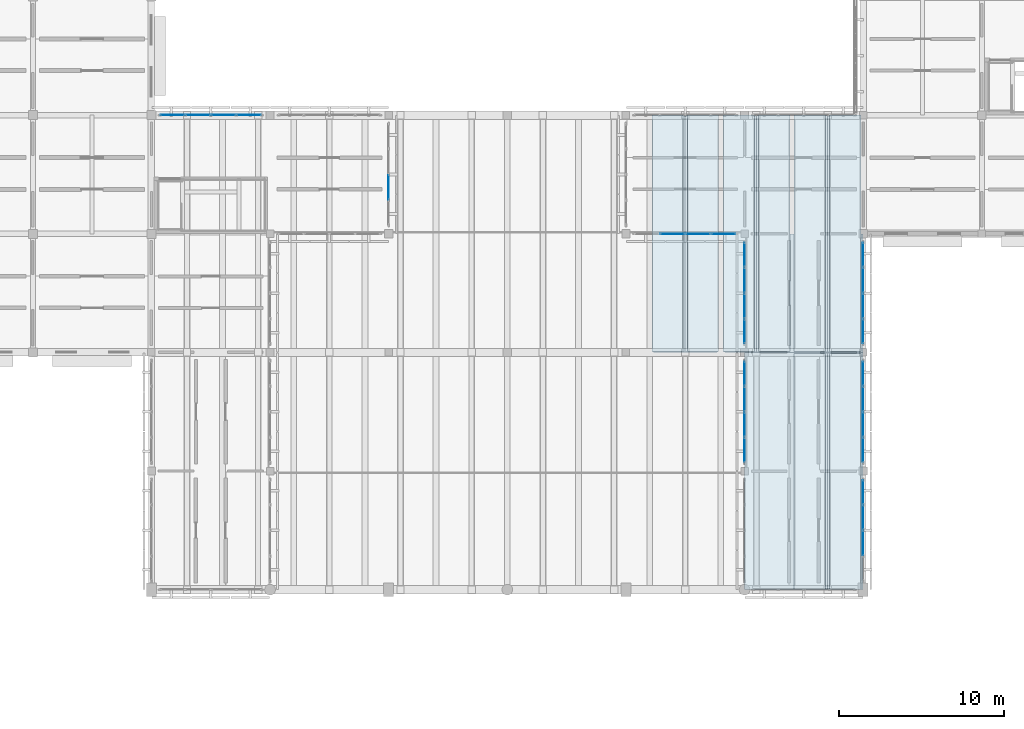
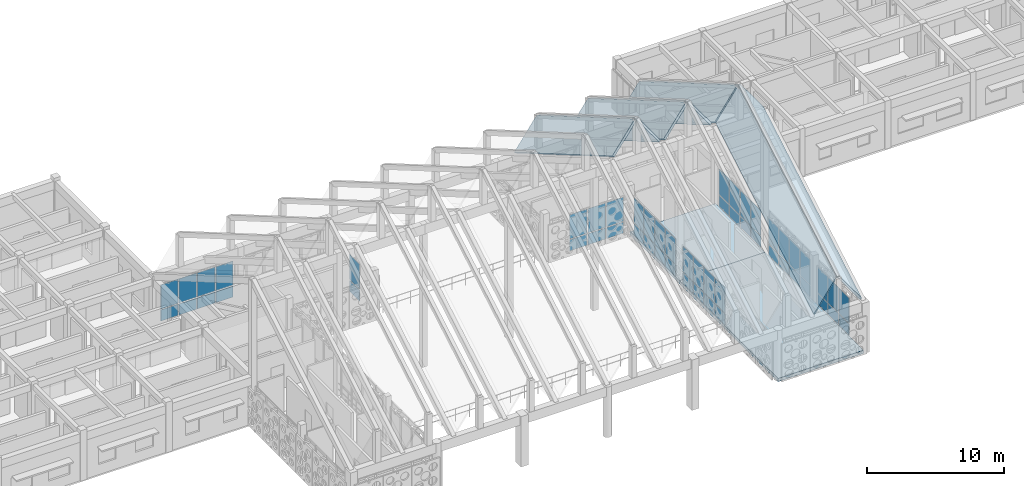
# One storey, part 104 of 171: 54 plates, 10 slabs, 8 elements without a shape of their own.
"""IFC4 building model written with IfcOpenShell, lengths in metres."""

from ifc_helpers import new_model, si_unit, direction, frame, origin, origin_2d, place, context, subcontext, project, spatial, polyline, rectangle, outline, extrude, material, layer, layer_set, type_object, element, aggregate, save


model = new_model("IFC4")

# Units and contexts
model_context = context("Model", 3, precision=1e-05, world=origin(), true_north=direction((0.0, 1.0)))
body_context = subcontext(model_context, "Body", "Model", "MODEL_VIEW")
ifc_project = project(units=[si_unit("LENGTHUNIT", "METRE"), si_unit("AREAUNIT", "SQUARE_METRE"), si_unit("VOLUMEUNIT", "CUBIC_METRE"), si_unit("PLANEANGLEUNIT", "RADIAN"), si_unit("MASSUNIT", "GRAM", prefix="KILO")], contexts=[model_context])

# Site, building, storey
site_placement = place(None, origin())
site = spatial("IfcSite", under=ifc_project, at=site_placement, CompositionType="ELEMENT")
building_placement = place(site_placement, origin())
building = spatial("IfcBuilding", under=site, at=building_placement, Name="Aldebral Square Health Centre", CompositionType="ELEMENT")
storey_placement = place(building_placement, frame((0.0, 0.0, 4.5)))
storey = spatial("IfcBuildingStorey", under=building, at=storey_placement, Name="L01", CompositionType="ELEMENT", Elevation=4.5)

# Curtain wall, plates
ifc_material_1 = material(Name="Aluminium and low-E solar glass", Category="aluminium")
curtain_wall_type = type_object("IfcCurtainWallType", Name="CW-HALL-SYS", PredefinedType="USERDEFINED", material=ifc_material_1)
curtain_wall_1_placement = place(storey_placement, origin())
curtain_wall_1 = element("IfcCurtainWall", 1, at=curtain_wall_1_placement, inside=storey, type_object=curtain_wall_type, Name="L01 V1 hall curtain wall L01-V1-09-13-N", ObjectType="HALL_CURTAIN_WALL", PredefinedType="USERDEFINED")
ifc_material_2 = material(Name="Solar-control low-E double glass", Category="glass")
ifc_layer_1 = layer(ifc_material_2, 0.030029296875, Name="Solar-control low-E double glass", Category="glass")
ifc_layer_set_1 = layer_set([ifc_layer_1], Name="Solar-control low-E double glass")
plate_type = type_object("IfcPlateType", Name="CWP-GLZ-2", PredefinedType="CURTAIN_PANEL", material=ifc_layer_set_1)
plate_1_placement = place(storey_placement, frame((70.72119140625, 100.800048828125, 0.0751953125), z_axis=(0.0, 0.0, 1.0), x_axis=(-1.0, 0.0, 0.0)))
plate_1 = element("IfcPlate", 2, at=plate_1_placement, type_object=plate_type, Name="CW2 panel 1.1", PredefinedType="CURTAIN_PANEL", context=body_context, shape_type="SweptSolid", body=[
    extrude(rectangle(XDim=1.447509765625, YDim=0.030029296875, at=origin_2d()), origin(), (0.0, 0.0, 1.0), 0.987548828125),
])
plate_2_placement = place(storey_placement, frame((70.72119140625, 100.800048828125, 1.1376953125), z_axis=(0.0, 0.0, 1.0), x_axis=(-1.0, 0.0, 0.0)))
plate_2 = element("IfcPlate", 3, at=plate_2_placement, type_object=plate_type, Name="CW2 panel 1.2", PredefinedType="CURTAIN_PANEL", context=body_context, shape_type="SweptSolid", body=[
    extrude(rectangle(XDim=1.447509765625, YDim=0.030029296875, at=origin_2d()), origin(), (0.0, 0.0, 1.0), 2.157470703125),
])
plate_3_placement = place(storey_placement, frame((69.179931640625, 100.800048828125, 0.0751953125), z_axis=(0.0, 0.0, 1.0), x_axis=(-1.0, 0.0, 0.0)))
plate_3 = element("IfcPlate", 4, at=plate_3_placement, type_object=plate_type, Name="CW2 panel 2.1", PredefinedType="CURTAIN_PANEL", context=body_context, shape_type="SweptSolid", body=[
    extrude(rectangle(XDim=1.485107421875, YDim=0.030029296875, at=origin_2d()), origin(), (0.0, 0.0, 1.0), 0.987548828125),
])
plate_4_placement = place(storey_placement, frame((69.179931640625, 100.800048828125, 1.1376953125), z_axis=(0.0, 0.0, 1.0), x_axis=(-1.0, 0.0, 0.0)))
plate_4 = element("IfcPlate", 5, at=plate_4_placement, type_object=plate_type, Name="CW2 panel 2.2", PredefinedType="CURTAIN_PANEL", context=body_context, shape_type="SweptSolid", body=[
    extrude(rectangle(XDim=1.485107421875, YDim=0.030029296875, at=origin_2d()), origin(), (0.0, 0.0, 1.0), 2.157470703125),
])
plate_5_placement = place(storey_placement, frame((67.6201171875, 100.800048828125, 0.0751953125), z_axis=(0.0, 0.0, 1.0), x_axis=(-1.0, 0.0, 0.0)))
plate_5 = element("IfcPlate", 6, at=plate_5_placement, type_object=plate_type, Name="CW2 panel 3.1", PredefinedType="CURTAIN_PANEL", context=body_context, shape_type="SweptSolid", body=[
    extrude(rectangle(XDim=1.485107421875, YDim=0.030029296875, at=origin_2d()), origin(), (0.0, 0.0, 1.0), 0.987548828125),
])
plate_6_placement = place(storey_placement, frame((67.6201171875, 100.800048828125, 1.1376953125), z_axis=(0.0, 0.0, 1.0), x_axis=(-1.0, 0.0, 0.0)))
plate_6 = element("IfcPlate", 7, at=plate_6_placement, type_object=plate_type, Name="CW2 panel 3.2", PredefinedType="CURTAIN_PANEL", context=body_context, shape_type="SweptSolid", body=[
    extrude(rectangle(XDim=1.485107421875, YDim=0.030029296875, at=origin_2d()), origin(), (0.0, 0.0, 1.0), 2.157470703125),
])
plate_7_placement = place(storey_placement, frame((66.078857421875, 100.800048828125, 0.0751953125), z_axis=(0.0, 0.0, 1.0), x_axis=(-1.0, 0.0, 0.0)))
plate_7 = element("IfcPlate", 8, at=plate_7_placement, type_object=plate_type, Name="CW2 panel 4.1", PredefinedType="CURTAIN_PANEL", context=body_context, shape_type="SweptSolid", body=[
    extrude(rectangle(XDim=1.447509765625, YDim=0.030029296875, at=origin_2d()), origin(), (0.0, 0.0, 1.0), 0.987548828125),
])
plate_8_placement = place(storey_placement, frame((66.078857421875, 100.800048828125, 1.1376953125), z_axis=(0.0, 0.0, 1.0), x_axis=(-1.0, 0.0, 0.0)))
plate_8 = element("IfcPlate", 9, at=plate_8_placement, type_object=plate_type, Name="CW2 panel 4.2", PredefinedType="CURTAIN_PANEL", context=body_context, shape_type="SweptSolid", body=[
    extrude(rectangle(XDim=1.447509765625, YDim=0.030029296875, at=origin_2d()), origin(), (0.0, 0.0, 1.0), 2.157470703125),
])
aggregate(curtain_wall_1, [plate_1, plate_2, plate_3, plate_4, plate_5, plate_6, plate_7, plate_8])

curtain_wall_2_placement = place(storey_placement, origin())
curtain_wall_2 = element("IfcCurtainWall", 10, at=curtain_wall_2_placement, inside=storey, type_object=curtain_wall_type, Name="L01 V1 hall curtain wall L01-V1-10-13-E", ObjectType="HALL_CURTAIN_WALL", PredefinedType="USERDEFINED")
plate_9_placement = place(storey_placement, frame((79.199951171875, 96.419921875, 0.0751953125), z_axis=(0.0, 0.0, 1.0), x_axis=(0.0, 1.0, 0.0)))
plate_9 = element("IfcPlate", 11, at=plate_9_placement, type_object=plate_type, Name="CW2 panel 2.1", PredefinedType="CURTAIN_PANEL", context=body_context, shape_type="SweptSolid", body=[
    extrude(rectangle(XDim=1.485107421875, YDim=0.030029296875, at=origin_2d()), origin(), (0.0, 0.0, 1.0), 0.987548828125),
])
plate_10_placement = place(storey_placement, frame((79.199951171875, 96.419921875, 1.1376953125), z_axis=(0.0, 0.0, 1.0), x_axis=(0.0, 1.0, 0.0)))
plate_10 = element("IfcPlate", 12, at=plate_10_placement, type_object=plate_type, Name="CW2 panel 2.2", PredefinedType="CURTAIN_PANEL", context=body_context, shape_type="SweptSolid", body=[
    extrude(rectangle(XDim=1.485107421875, YDim=0.030029296875, at=origin_2d()), origin(), (0.0, 0.0, 1.0), 2.257568359375),
])
aggregate(curtain_wall_2, [plate_9, plate_10])

curtain_wall_3_placement = place(storey_placement, origin())
curtain_wall_3 = element("IfcCurtainWall", 13, at=curtain_wall_3_placement, inside=storey, type_object=curtain_wall_type, Name="L01 V1 hall curtain wall L01-V1-13-13-S", ObjectType="HALL_CURTAIN_WALL", PredefinedType="USERDEFINED")
plate_11_placement = place(storey_placement, frame((96.419921875, 93.60009765625, 0.0751953125), z_axis=(0.0, 0.0, 1.0), x_axis=(1.0, 0.0, 0.0)))
plate_11 = element("IfcPlate", 14, at=plate_11_placement, type_object=plate_type, Name="CW2 panel 2.1", PredefinedType="CURTAIN_PANEL", context=body_context, shape_type="SweptSolid", body=[
    extrude(rectangle(XDim=1.485107421875, YDim=0.030029296875, at=origin_2d()), origin(), (0.0, 0.0, 1.0), 0.987548828125),
])
plate_12_placement = place(storey_placement, frame((96.419921875, 93.60009765625, 1.1376953125), z_axis=(0.0, 0.0, 1.0), x_axis=(1.0, 0.0, 0.0)))
plate_12 = element("IfcPlate", 15, at=plate_12_placement, type_object=plate_type, Name="CW2 panel 2.2", PredefinedType="CURTAIN_PANEL", context=body_context, shape_type="SweptSolid", body=[
    extrude(rectangle(XDim=1.485107421875, YDim=0.030029296875, at=origin_2d()), origin(), (0.0, 0.0, 1.0), 2.157470703125),
])
plate_13_placement = place(storey_placement, frame((97.97998046875, 93.60009765625, 0.0751953125), z_axis=(0.0, 0.0, 1.0), x_axis=(1.0, 0.0, 0.0)))
plate_13 = element("IfcPlate", 16, at=plate_13_placement, type_object=plate_type, Name="CW2 panel 3.1", PredefinedType="CURTAIN_PANEL", context=body_context, shape_type="SweptSolid", body=[
    extrude(rectangle(XDim=1.485107421875, YDim=0.030029296875, at=origin_2d()), origin(), (0.0, 0.0, 1.0), 0.987548828125),
])
plate_14_placement = place(storey_placement, frame((97.97998046875, 93.60009765625, 1.1376953125), z_axis=(0.0, 0.0, 1.0), x_axis=(1.0, 0.0, 0.0)))
plate_14 = element("IfcPlate", 17, at=plate_14_placement, type_object=plate_type, Name="CW2 panel 3.2", PredefinedType="CURTAIN_PANEL", context=body_context, shape_type="SweptSolid", body=[
    extrude(rectangle(XDim=1.485107421875, YDim=0.030029296875, at=origin_2d()), origin(), (0.0, 0.0, 1.0), 2.157470703125),
])
plate_15_placement = place(storey_placement, frame((99.521240234375, 93.60009765625, 0.0751953125), z_axis=(0.0, 0.0, 1.0), x_axis=(1.0, 0.0, 0.0)))
plate_15 = element("IfcPlate", 18, at=plate_15_placement, type_object=plate_type, Name="CW2 panel 4.1", PredefinedType="CURTAIN_PANEL", context=body_context, shape_type="SweptSolid", body=[
    extrude(rectangle(XDim=1.447509765625, YDim=0.030029296875, at=origin_2d()), origin(), (0.0, 0.0, 1.0), 0.987548828125),
])
plate_16_placement = place(storey_placement, frame((99.521240234375, 93.60009765625, 1.1376953125), z_axis=(0.0, 0.0, 1.0), x_axis=(1.0, 0.0, 0.0)))
plate_16 = element("IfcPlate", 19, at=plate_16_placement, type_object=plate_type, Name="CW2 panel 4.2", PredefinedType="CURTAIN_PANEL", context=body_context, shape_type="SweptSolid", body=[
    extrude(rectangle(XDim=1.447509765625, YDim=0.030029296875, at=origin_2d()), origin(), (0.0, 0.0, 1.0), 2.157470703125),
])
aggregate(curtain_wall_3, [plate_11, plate_12, plate_13, plate_14, plate_15, plate_16])

curtain_wall_4_placement = place(storey_placement, origin())
curtain_wall_4 = element("IfcCurtainWall", 20, at=curtain_wall_4_placement, inside=storey, type_object=curtain_wall_type, Name="L01 V1 hall curtain wall L01-V1-14-10-E", ObjectType="HALL_CURTAIN_WALL", PredefinedType="USERDEFINED")
plate_17_placement = place(storey_placement, frame((108.0, 74.820068359375, 0.0751953125), z_axis=(0.0, 0.0, 1.0), x_axis=(0.0, 1.0, 0.0)))
plate_17 = element("IfcPlate", 21, at=plate_17_placement, type_object=plate_type, Name="CW2 panel 2.1", PredefinedType="CURTAIN_PANEL", context=body_context, shape_type="SweptSolid", body=[
    extrude(rectangle(XDim=1.485107421875, YDim=0.030029296875, at=origin_2d()), origin(), (0.0, 0.0, 1.0), 0.987548828125),
])
plate_18_placement = place(storey_placement, frame((108.0, 74.820068359375, 1.1376953125), z_axis=(0.0, 0.0, 1.0), x_axis=(0.0, 1.0, 0.0)))
plate_18 = element("IfcPlate", 22, at=plate_18_placement, type_object=plate_type, Name="CW2 panel 2.2", PredefinedType="CURTAIN_PANEL", context=body_context, shape_type="SweptSolid", body=[
    extrude(rectangle(XDim=1.485107421875, YDim=0.030029296875, at=origin_2d()), origin(), (0.0, 0.0, 1.0), 2.257568359375),
])
plate_19_placement = place(storey_placement, frame((108.0, 76.3798828125, 0.0751953125), z_axis=(0.0, 0.0, 1.0), x_axis=(0.0, 1.0, 0.0)))
plate_19 = element("IfcPlate", 23, at=plate_19_placement, type_object=plate_type, Name="CW2 panel 3.1", PredefinedType="CURTAIN_PANEL", context=body_context, shape_type="SweptSolid", body=[
    extrude(rectangle(XDim=1.485107421875, YDim=0.030029296875, at=origin_2d()), origin(), (0.0, 0.0, 1.0), 0.987548828125),
])
plate_20_placement = place(storey_placement, frame((108.0, 76.3798828125, 1.1376953125), z_axis=(0.0, 0.0, 1.0), x_axis=(0.0, 1.0, 0.0)))
plate_20 = element("IfcPlate", 24, at=plate_20_placement, type_object=plate_type, Name="CW2 panel 3.2", PredefinedType="CURTAIN_PANEL", context=body_context, shape_type="SweptSolid", body=[
    extrude(rectangle(XDim=1.485107421875, YDim=0.030029296875, at=origin_2d()), origin(), (0.0, 0.0, 1.0), 2.257568359375),
])
plate_21_placement = place(storey_placement, frame((108.0, 77.921142578125, 0.0751953125), z_axis=(0.0, 0.0, 1.0), x_axis=(0.0, 1.0, 0.0)))
plate_21 = element("IfcPlate", 25, at=plate_21_placement, type_object=plate_type, Name="CW2 panel 4.1", PredefinedType="CURTAIN_PANEL", context=body_context, shape_type="SweptSolid", body=[
    extrude(rectangle(XDim=1.447509765625, YDim=0.030029296875, at=origin_2d()), origin(), (0.0, 0.0, 1.0), 0.987548828125),
])
plate_22_placement = place(storey_placement, frame((108.0, 77.921142578125, 1.1376953125), z_axis=(0.0, 0.0, 1.0), x_axis=(0.0, 1.0, 0.0)))
plate_22 = element("IfcPlate", 26, at=plate_22_placement, type_object=plate_type, Name="CW2 panel 4.2", PredefinedType="CURTAIN_PANEL", context=body_context, shape_type="SweptSolid", body=[
    extrude(rectangle(XDim=1.447509765625, YDim=0.030029296875, at=origin_2d()), origin(), (0.0, 0.0, 1.0), 2.257568359375),
])
aggregate(curtain_wall_4, [plate_17, plate_18, plate_19, plate_20, plate_21, plate_22])

curtain_wall_5_placement = place(storey_placement, origin())
curtain_wall_5 = element("IfcCurtainWall", 27, at=curtain_wall_5_placement, inside=storey, type_object=curtain_wall_type, Name="L01 V1 hall curtain wall L01-V1-14-11-W", ObjectType="HALL_CURTAIN_WALL", PredefinedType="USERDEFINED")
plate_23_placement = place(storey_placement, frame((100.800048828125, 85.121337890625, 0.0751953125), z_axis=(0.0, 0.0, 1.0), x_axis=(0.0, -1.0, 0.0)))
plate_23 = element("IfcPlate", 28, at=plate_23_placement, type_object=plate_type, Name="CW2 panel 1.1", PredefinedType="CURTAIN_PANEL", context=body_context, shape_type="SweptSolid", body=[
    extrude(rectangle(XDim=1.447509765625, YDim=0.030029296875, at=origin_2d()), origin(), (0.0, 0.0, 1.0), 0.987548828125),
])
plate_24_placement = place(storey_placement, frame((100.800048828125, 85.121337890625, 1.1376953125), z_axis=(0.0, 0.0, 1.0), x_axis=(0.0, -1.0, 0.0)))
plate_24 = element("IfcPlate", 29, at=plate_24_placement, type_object=plate_type, Name="CW2 panel 1.2", PredefinedType="CURTAIN_PANEL", context=body_context, shape_type="SweptSolid", body=[
    extrude(rectangle(XDim=1.447509765625, YDim=0.030029296875, at=origin_2d()), origin(), (0.0, 0.0, 1.0), 2.257568359375),
])
plate_25_placement = place(storey_placement, frame((100.800048828125, 83.580078125, 0.0751953125), z_axis=(0.0, 0.0, 1.0), x_axis=(0.0, -1.0, 0.0)))
plate_25 = element("IfcPlate", 30, at=plate_25_placement, type_object=plate_type, Name="CW2 panel 2.1", PredefinedType="CURTAIN_PANEL", context=body_context, shape_type="SweptSolid", body=[
    extrude(rectangle(XDim=1.485107421875, YDim=0.030029296875, at=origin_2d()), origin(), (0.0, 0.0, 1.0), 0.987548828125),
])
plate_26_placement = place(storey_placement, frame((100.800048828125, 83.580078125, 1.1376953125), z_axis=(0.0, 0.0, 1.0), x_axis=(0.0, -1.0, 0.0)))
plate_26 = element("IfcPlate", 31, at=plate_26_placement, type_object=plate_type, Name="CW2 panel 2.2", PredefinedType="CURTAIN_PANEL", context=body_context, shape_type="SweptSolid", body=[
    extrude(rectangle(XDim=1.485107421875, YDim=0.030029296875, at=origin_2d()), origin(), (0.0, 0.0, 1.0), 2.257568359375),
])
plate_27_placement = place(storey_placement, frame((100.800048828125, 82.02001953125, 0.0751953125), z_axis=(0.0, 0.0, 1.0), x_axis=(0.0, -1.0, 0.0)))
plate_27 = element("IfcPlate", 32, at=plate_27_placement, type_object=plate_type, Name="CW2 panel 3.1", PredefinedType="CURTAIN_PANEL", context=body_context, shape_type="SweptSolid", body=[
    extrude(rectangle(XDim=1.485107421875, YDim=0.030029296875, at=origin_2d()), origin(), (0.0, 0.0, 1.0), 0.987548828125),
])
plate_28_placement = place(storey_placement, frame((100.800048828125, 82.02001953125, 1.1376953125), z_axis=(0.0, 0.0, 1.0), x_axis=(0.0, -1.0, 0.0)))
plate_28 = element("IfcPlate", 33, at=plate_28_placement, type_object=plate_type, Name="CW2 panel 3.2", PredefinedType="CURTAIN_PANEL", context=body_context, shape_type="SweptSolid", body=[
    extrude(rectangle(XDim=1.485107421875, YDim=0.030029296875, at=origin_2d()), origin(), (0.0, 0.0, 1.0), 2.257568359375),
])
plate_29_placement = place(storey_placement, frame((100.800048828125, 80.478759765625, 0.0751953125), z_axis=(0.0, 0.0, 1.0), x_axis=(0.0, -1.0, 0.0)))
plate_29 = element("IfcPlate", 34, at=plate_29_placement, type_object=plate_type, Name="CW2 panel 4.1", PredefinedType="CURTAIN_PANEL", context=body_context, shape_type="SweptSolid", body=[
    extrude(rectangle(XDim=1.447509765625, YDim=0.030029296875, at=origin_2d()), origin(), (0.0, 0.0, 1.0), 0.987548828125),
])
plate_30_placement = place(storey_placement, frame((100.800048828125, 80.478759765625, 1.1376953125), z_axis=(0.0, 0.0, 1.0), x_axis=(0.0, -1.0, 0.0)))
plate_30 = element("IfcPlate", 35, at=plate_30_placement, type_object=plate_type, Name="CW2 panel 4.2", PredefinedType="CURTAIN_PANEL", context=body_context, shape_type="SweptSolid", body=[
    extrude(rectangle(XDim=1.447509765625, YDim=0.030029296875, at=origin_2d()), origin(), (0.0, 0.0, 1.0), 2.257568359375),
])
aggregate(curtain_wall_5, [plate_23, plate_24, plate_25, plate_26, plate_27, plate_28, plate_29, plate_30])

curtain_wall_6_placement = place(storey_placement, origin())
curtain_wall_6 = element("IfcCurtainWall", 36, at=curtain_wall_6_placement, inside=storey, type_object=curtain_wall_type, Name="L01 V1 hall curtain wall L01-V1-14-11-E", ObjectType="HALL_CURTAIN_WALL", PredefinedType="USERDEFINED")
plate_31_placement = place(storey_placement, frame((108.0, 80.478759765625, 0.0751953125), z_axis=(0.0, 0.0, 1.0), x_axis=(0.0, 1.0, 0.0)))
plate_31 = element("IfcPlate", 37, at=plate_31_placement, type_object=plate_type, Name="CW2 panel 1.1", PredefinedType="CURTAIN_PANEL", context=body_context, shape_type="SweptSolid", body=[
    extrude(rectangle(XDim=1.447509765625, YDim=0.030029296875, at=origin_2d()), origin(), (0.0, 0.0, 1.0), 0.987548828125),
])
plate_32_placement = place(storey_placement, frame((108.0, 80.478759765625, 1.1376953125), z_axis=(0.0, 0.0, 1.0), x_axis=(0.0, 1.0, 0.0)))
plate_32 = element("IfcPlate", 38, at=plate_32_placement, type_object=plate_type, Name="CW2 panel 1.2", PredefinedType="CURTAIN_PANEL", context=body_context, shape_type="SweptSolid", body=[
    extrude(rectangle(XDim=1.447509765625, YDim=0.030029296875, at=origin_2d()), origin(), (0.0, 0.0, 1.0), 2.257568359375),
])
plate_33_placement = place(storey_placement, frame((108.0, 82.02001953125, 0.0751953125), z_axis=(0.0, 0.0, 1.0), x_axis=(0.0, 1.0, 0.0)))
plate_33 = element("IfcPlate", 39, at=plate_33_placement, type_object=plate_type, Name="CW2 panel 2.1", PredefinedType="CURTAIN_PANEL", context=body_context, shape_type="SweptSolid", body=[
    extrude(rectangle(XDim=1.485107421875, YDim=0.030029296875, at=origin_2d()), origin(), (0.0, 0.0, 1.0), 0.987548828125),
])
plate_34_placement = place(storey_placement, frame((108.0, 82.02001953125, 1.1376953125), z_axis=(0.0, 0.0, 1.0), x_axis=(0.0, 1.0, 0.0)))
plate_34 = element("IfcPlate", 40, at=plate_34_placement, type_object=plate_type, Name="CW2 panel 2.2", PredefinedType="CURTAIN_PANEL", context=body_context, shape_type="SweptSolid", body=[
    extrude(rectangle(XDim=1.485107421875, YDim=0.030029296875, at=origin_2d()), origin(), (0.0, 0.0, 1.0), 2.257568359375),
])
plate_35_placement = place(storey_placement, frame((108.0, 83.580078125, 0.0751953125), z_axis=(0.0, 0.0, 1.0), x_axis=(0.0, 1.0, 0.0)))
plate_35 = element("IfcPlate", 41, at=plate_35_placement, type_object=plate_type, Name="CW2 panel 3.1", PredefinedType="CURTAIN_PANEL", context=body_context, shape_type="SweptSolid", body=[
    extrude(rectangle(XDim=1.485107421875, YDim=0.030029296875, at=origin_2d()), origin(), (0.0, 0.0, 1.0), 0.987548828125),
])
plate_36_placement = place(storey_placement, frame((108.0, 83.580078125, 1.1376953125), z_axis=(0.0, 0.0, 1.0), x_axis=(0.0, 1.0, 0.0)))
plate_36 = element("IfcPlate", 42, at=plate_36_placement, type_object=plate_type, Name="CW2 panel 3.2", PredefinedType="CURTAIN_PANEL", context=body_context, shape_type="SweptSolid", body=[
    extrude(rectangle(XDim=1.485107421875, YDim=0.030029296875, at=origin_2d()), origin(), (0.0, 0.0, 1.0), 2.257568359375),
])
plate_37_placement = place(storey_placement, frame((108.0, 85.121337890625, 0.0751953125), z_axis=(0.0, 0.0, 1.0), x_axis=(0.0, 1.0, 0.0)))
plate_37 = element("IfcPlate", 43, at=plate_37_placement, type_object=plate_type, Name="CW2 panel 4.1", PredefinedType="CURTAIN_PANEL", context=body_context, shape_type="SweptSolid", body=[
    extrude(rectangle(XDim=1.447509765625, YDim=0.030029296875, at=origin_2d()), origin(), (0.0, 0.0, 1.0), 0.987548828125),
])
plate_38_placement = place(storey_placement, frame((108.0, 85.121337890625, 1.1376953125), z_axis=(0.0, 0.0, 1.0), x_axis=(0.0, 1.0, 0.0)))
plate_38 = element("IfcPlate", 44, at=plate_38_placement, type_object=plate_type, Name="CW2 panel 4.2", PredefinedType="CURTAIN_PANEL", context=body_context, shape_type="SweptSolid", body=[
    extrude(rectangle(XDim=1.447509765625, YDim=0.030029296875, at=origin_2d()), origin(), (0.0, 0.0, 1.0), 2.257568359375),
])
aggregate(curtain_wall_6, [plate_31, plate_32, plate_33, plate_34, plate_35, plate_36, plate_37, plate_38])

curtain_wall_7_placement = place(storey_placement, origin())
curtain_wall_7 = element("IfcCurtainWall", 45, at=curtain_wall_7_placement, inside=storey, type_object=curtain_wall_type, Name="L01 V1 hall curtain wall L01-V1-14-12-W", ObjectType="HALL_CURTAIN_WALL", PredefinedType="USERDEFINED")
plate_39_placement = place(storey_placement, frame((100.800048828125, 92.3212890625, 0.0751953125), z_axis=(0.0, 0.0, 1.0), x_axis=(0.0, -1.0, 0.0)))
plate_39 = element("IfcPlate", 46, at=plate_39_placement, type_object=plate_type, Name="CW2 panel 1.1", PredefinedType="CURTAIN_PANEL", context=body_context, shape_type="SweptSolid", body=[
    extrude(rectangle(XDim=1.447509765625, YDim=0.030029296875, at=origin_2d()), origin(), (0.0, 0.0, 1.0), 0.987548828125),
])
plate_40_placement = place(storey_placement, frame((100.800048828125, 92.3212890625, 1.1376953125), z_axis=(0.0, 0.0, 1.0), x_axis=(0.0, -1.0, 0.0)))
plate_40 = element("IfcPlate", 47, at=plate_40_placement, type_object=plate_type, Name="CW2 panel 1.2", PredefinedType="CURTAIN_PANEL", context=body_context, shape_type="SweptSolid", body=[
    extrude(rectangle(XDim=1.447509765625, YDim=0.030029296875, at=origin_2d()), origin(), (0.0, 0.0, 1.0), 2.257568359375),
])
plate_41_placement = place(storey_placement, frame((100.800048828125, 90.780029296875, 0.0751953125), z_axis=(0.0, 0.0, 1.0), x_axis=(0.0, -1.0, 0.0)))
plate_41 = element("IfcPlate", 48, at=plate_41_placement, type_object=plate_type, Name="CW2 panel 2.1", PredefinedType="CURTAIN_PANEL", context=body_context, shape_type="SweptSolid", body=[
    extrude(rectangle(XDim=1.485107421875, YDim=0.030029296875, at=origin_2d()), origin(), (0.0, 0.0, 1.0), 0.987548828125),
])
plate_42_placement = place(storey_placement, frame((100.800048828125, 90.780029296875, 1.1376953125), z_axis=(0.0, 0.0, 1.0), x_axis=(0.0, -1.0, 0.0)))
plate_42 = element("IfcPlate", 49, at=plate_42_placement, type_object=plate_type, Name="CW2 panel 2.2", PredefinedType="CURTAIN_PANEL", context=body_context, shape_type="SweptSolid", body=[
    extrude(rectangle(XDim=1.485107421875, YDim=0.030029296875, at=origin_2d()), origin(), (0.0, 0.0, 1.0), 2.257568359375),
])
plate_43_placement = place(storey_placement, frame((100.800048828125, 89.219970703125, 0.0751953125), z_axis=(0.0, 0.0, 1.0), x_axis=(0.0, -1.0, 0.0)))
plate_43 = element("IfcPlate", 50, at=plate_43_placement, type_object=plate_type, Name="CW2 panel 3.1", PredefinedType="CURTAIN_PANEL", context=body_context, shape_type="SweptSolid", body=[
    extrude(rectangle(XDim=1.485107421875, YDim=0.030029296875, at=origin_2d()), origin(), (0.0, 0.0, 1.0), 0.987548828125),
])
plate_44_placement = place(storey_placement, frame((100.800048828125, 89.219970703125, 1.1376953125), z_axis=(0.0, 0.0, 1.0), x_axis=(0.0, -1.0, 0.0)))
plate_44 = element("IfcPlate", 51, at=plate_44_placement, type_object=plate_type, Name="CW2 panel 3.2", PredefinedType="CURTAIN_PANEL", context=body_context, shape_type="SweptSolid", body=[
    extrude(rectangle(XDim=1.485107421875, YDim=0.030029296875, at=origin_2d()), origin(), (0.0, 0.0, 1.0), 2.257568359375),
])
plate_45_placement = place(storey_placement, frame((100.800048828125, 87.6787109375, 0.0751953125), z_axis=(0.0, 0.0, 1.0), x_axis=(0.0, -1.0, 0.0)))
plate_45 = element("IfcPlate", 52, at=plate_45_placement, type_object=plate_type, Name="CW2 panel 4.1", PredefinedType="CURTAIN_PANEL", context=body_context, shape_type="SweptSolid", body=[
    extrude(rectangle(XDim=1.447509765625, YDim=0.030029296875, at=origin_2d()), origin(), (0.0, 0.0, 1.0), 0.987548828125),
])
plate_46_placement = place(storey_placement, frame((100.800048828125, 87.6787109375, 1.1376953125), z_axis=(0.0, 0.0, 1.0), x_axis=(0.0, -1.0, 0.0)))
plate_46 = element("IfcPlate", 53, at=plate_46_placement, type_object=plate_type, Name="CW2 panel 4.2", PredefinedType="CURTAIN_PANEL", context=body_context, shape_type="SweptSolid", body=[
    extrude(rectangle(XDim=1.447509765625, YDim=0.030029296875, at=origin_2d()), origin(), (0.0, 0.0, 1.0), 2.257568359375),
])
aggregate(curtain_wall_7, [plate_39, plate_40, plate_41, plate_42, plate_43, plate_44, plate_45, plate_46])

curtain_wall_8_placement = place(storey_placement, origin())
curtain_wall_8 = element("IfcCurtainWall", 54, at=curtain_wall_8_placement, inside=storey, type_object=curtain_wall_type, Name="L01 V1 hall curtain wall L01-V1-14-12-E", ObjectType="HALL_CURTAIN_WALL", PredefinedType="USERDEFINED")
plate_47_placement = place(storey_placement, frame((108.0, 87.6787109375, 0.0751953125), z_axis=(0.0, 0.0, 1.0), x_axis=(0.0, 1.0, 0.0)))
plate_47 = element("IfcPlate", 55, at=plate_47_placement, type_object=plate_type, Name="CW2 panel 1.1", PredefinedType="CURTAIN_PANEL", context=body_context, shape_type="SweptSolid", body=[
    extrude(rectangle(XDim=1.447509765625, YDim=0.030029296875, at=origin_2d()), origin(), (0.0, 0.0, 1.0), 0.987548828125),
])
plate_48_placement = place(storey_placement, frame((108.0, 87.6787109375, 1.1376953125), z_axis=(0.0, 0.0, 1.0), x_axis=(0.0, 1.0, 0.0)))
plate_48 = element("IfcPlate", 56, at=plate_48_placement, type_object=plate_type, Name="CW2 panel 1.2", PredefinedType="CURTAIN_PANEL", context=body_context, shape_type="SweptSolid", body=[
    extrude(rectangle(XDim=1.447509765625, YDim=0.030029296875, at=origin_2d()), origin(), (0.0, 0.0, 1.0), 2.257568359375),
])
plate_49_placement = place(storey_placement, frame((108.0, 89.219970703125, 0.0751953125), z_axis=(0.0, 0.0, 1.0), x_axis=(0.0, 1.0, 0.0)))
plate_49 = element("IfcPlate", 57, at=plate_49_placement, type_object=plate_type, Name="CW2 panel 2.1", PredefinedType="CURTAIN_PANEL", context=body_context, shape_type="SweptSolid", body=[
    extrude(rectangle(XDim=1.485107421875, YDim=0.030029296875, at=origin_2d()), origin(), (0.0, 0.0, 1.0), 0.987548828125),
])
plate_50_placement = place(storey_placement, frame((108.0, 89.219970703125, 1.1376953125), z_axis=(0.0, 0.0, 1.0), x_axis=(0.0, 1.0, 0.0)))
plate_50 = element("IfcPlate", 58, at=plate_50_placement, type_object=plate_type, Name="CW2 panel 2.2", PredefinedType="CURTAIN_PANEL", context=body_context, shape_type="SweptSolid", body=[
    extrude(rectangle(XDim=1.485107421875, YDim=0.030029296875, at=origin_2d()), origin(), (0.0, 0.0, 1.0), 2.257568359375),
])
plate_51_placement = place(storey_placement, frame((108.0, 90.780029296875, 0.0751953125), z_axis=(0.0, 0.0, 1.0), x_axis=(0.0, 1.0, 0.0)))
plate_51 = element("IfcPlate", 59, at=plate_51_placement, type_object=plate_type, Name="CW2 panel 3.1", PredefinedType="CURTAIN_PANEL", context=body_context, shape_type="SweptSolid", body=[
    extrude(rectangle(XDim=1.485107421875, YDim=0.030029296875, at=origin_2d()), origin(), (0.0, 0.0, 1.0), 0.987548828125),
])
plate_52_placement = place(storey_placement, frame((108.0, 90.780029296875, 1.1376953125), z_axis=(0.0, 0.0, 1.0), x_axis=(0.0, 1.0, 0.0)))
plate_52 = element("IfcPlate", 60, at=plate_52_placement, type_object=plate_type, Name="CW2 panel 3.2", PredefinedType="CURTAIN_PANEL", context=body_context, shape_type="SweptSolid", body=[
    extrude(rectangle(XDim=1.485107421875, YDim=0.030029296875, at=origin_2d()), origin(), (0.0, 0.0, 1.0), 2.257568359375),
])
plate_53_placement = place(storey_placement, frame((108.0, 92.3212890625, 0.0751953125), z_axis=(0.0, 0.0, 1.0), x_axis=(0.0, 1.0, 0.0)))
plate_53 = element("IfcPlate", 61, at=plate_53_placement, type_object=plate_type, Name="CW2 panel 4.1", PredefinedType="CURTAIN_PANEL", context=body_context, shape_type="SweptSolid", body=[
    extrude(rectangle(XDim=1.447509765625, YDim=0.030029296875, at=origin_2d()), origin(), (0.0, 0.0, 1.0), 0.987548828125),
])
plate_54_placement = place(storey_placement, frame((108.0, 92.3212890625, 1.1376953125), z_axis=(0.0, 0.0, 1.0), x_axis=(0.0, 1.0, 0.0)))
plate_54 = element("IfcPlate", 62, at=plate_54_placement, type_object=plate_type, Name="CW2 panel 4.2", PredefinedType="CURTAIN_PANEL", context=body_context, shape_type="SweptSolid", body=[
    extrude(rectangle(XDim=1.447509765625, YDim=0.030029296875, at=origin_2d()), origin(), (0.0, 0.0, 1.0), 2.257568359375),
])
aggregate(curtain_wall_8, [plate_47, plate_48, plate_49, plate_50, plate_51, plate_52, plate_53, plate_54])

# Slabs
ifc_material_3 = material(Name="Concrete C35/45", Category="concrete")
ifc_layer_2 = layer(ifc_material_3, 0.280029296875, Name="Concrete C35/45", Category="concrete")
ifc_layer_set_2 = layer_set([ifc_layer_2], Name="Concrete C35/45")
slab_type_1 = type_object("IfcSlabType", Name="SL-FLR-280", PredefinedType="FLOOR", material=ifc_layer_set_2)
slab_1_placement = place(storey_placement, frame((0.0, 0.0, -0.280029296875)))
element("IfcSlab", 63, at=slab_1_placement, inside=storey, type_object=slab_type_1, Name="L01 V1 floor slab 4", PredefinedType="FLOOR", context=body_context, shape_type="SweptSolid", body=[
    extrude(outline(polyline([(100.800048828125, 72.0), (100.800048828125, 79.199951171875), (100.800048828125, 86.39990234375), (108.0, 86.39990234375), (108.0, 79.199951171875), (108.0, 72.0), (100.800048828125, 72.0)])), origin(), (0.0, 0.0, 1.0), 0.280029296875),
])
slab_2_placement = place(storey_placement, frame((0.0, 0.0, -0.280029296875)))
element("IfcSlab", 64, at=slab_2_placement, inside=storey, type_object=slab_type_1, Name="L01 V1 floor slab 5", PredefinedType="FLOOR", context=body_context, shape_type="SweptSolid", body=[
    extrude(outline(polyline([(100.800048828125, 86.39990234375), (100.800048828125, 93.60009765625), (108.0, 93.60009765625), (108.0, 86.39990234375), (100.800048828125, 86.39990234375)])), origin(), (0.0, 0.0, 1.0), 0.280029296875),
])
ifc_material_4 = material(Name="Concrete C40/50", Category="concrete")
ifc_layer_3 = layer(ifc_material_4, 0.179931640625, Name="Concrete C40/50", Category="concrete")
ifc_layer_set_3 = layer_set([ifc_layer_3], Name="Concrete C40/50")
slab_type_2 = type_object("IfcSlabType", Name="SL-FP-180", PredefinedType="ROOF", material=ifc_layer_set_3)
slab_3_placement = place(storey_placement, frame((97.070068359375, 100.800048828125, 7.3193359375), z_axis=(-0.768091096898, 0.322647311562, 0.553113712728), x_axis=(-0.584366040123, 0.0, -0.811490191654)))
element("IfcSlab", 65, at=slab_3_placement, inside=storey, type_object=slab_type_2, Name="Waiting Hall folded-plate roof bay 8 NW", PredefinedType="ROOF", context=body_context, shape_type="SweptSolid", body=[
    extrude(outline(polyline([(0.0, 0.0), (3.251637422284146, 0.0), (-3.536470106196056, 15.150339221081133), (-6.788107528480202, 15.150339221081133), (0.0, 0.0)])), origin(), (0.0, 0.0, -1.0), 0.179931640625),
])
slab_4_placement = place(storey_placement, frame((99.22998046875, 100.800048828125, 4.6806640625), z_axis=(0.768131563262, 0.322622852443, 0.553071782504), x_axis=(-0.584316593906, 0.0, 0.811525796316)))
element("IfcSlab", 66, at=slab_4_placement, inside=storey, type_object=slab_type_2, Name="Waiting Hall folded-plate roof bay 8 NE", PredefinedType="ROOF", context=body_context, shape_type="SweptSolid", body=[
    extrude(outline(polyline([(0.0, 0.0), (3.251494760829665, 5.551115123125783e-17), (10.03990012195744, 15.150205773686729), (6.788405361127777, 15.150205773686729), (0.0, 0.0)])), origin(), (0.0, 0.0, -1.0), 0.179931640625),
])
slab_5_placement = place(storey_placement, frame((101.389892578125, 100.800048828125, 7.3193359375), z_axis=(-0.768131563262, 0.322622852443, 0.553071782504), x_axis=(-0.584316593906, 0.0, -0.811525796316)))
element("IfcSlab", 67, at=slab_5_placement, inside=storey, type_object=slab_type_2, Name="Waiting Hall folded-plate roof bay 9 NW", PredefinedType="ROOF", context=body_context, shape_type="SweptSolid", body=[
    extrude(outline(polyline([(0.0, 0.0), (3.251494760829665, -5.551115123125783e-17), (-3.5369106002981106, 15.150205773686729), (-6.788405361127777, 15.150205773686729), (0.0, 0.0)])), origin(), (0.0, 0.0, -1.0), 0.179931640625),
])
slab_6_placement = place(storey_placement, frame((103.550048828125, 100.800048828125, 4.6806640625), z_axis=(0.768091096898, 0.322647311562, 0.553113712728), x_axis=(-0.584366040123, 0.0, 0.811490191654)))
element("IfcSlab", 68, at=slab_6_placement, inside=storey, type_object=slab_type_2, Name="Waiting Hall folded-plate roof bay 9 NE", PredefinedType="ROOF", context=body_context, shape_type="SweptSolid", body=[
    extrude(outline(polyline([(0.0, 0.0), (3.251637422284146, 0.0), (10.039744950764348, 15.150339221081133), (6.788107528480202, 15.150339221081133), (0.0, 0.0)])), origin(), (0.0, 0.0, -1.0), 0.179931640625),
])
slab_7_placement = place(storey_placement, frame((103.81005859375, 72.0, 4.6806640625), z_axis=(-0.768131563262, -0.322622852443, 0.553071782504), x_axis=(0.584316593906, 0.0, 0.811525796316)))
element("IfcSlab", 69, at=slab_7_placement, inside=storey, type_object=slab_type_2, Name="Waiting Hall folded-plate roof bay 10 SW", PredefinedType="ROOF", context=body_context, shape_type="SweptSolid", body=[
    extrude(outline(polyline([(0.0, 0.0), (3.251494760829665, 5.551115123125783e-17), (10.03990012195744, 15.150205773686729), (6.788405361127777, 15.150205773686729), (0.0, 0.0)])), origin(), (0.0, 0.0, -1.0), 0.179931640625),
])
slab_8_placement = place(storey_placement, frame((105.969970703125, 72.0, 7.3193359375), z_axis=(0.768091096898, -0.322647311562, 0.553113712728), x_axis=(0.584366040123, 0.0, -0.811490191654)))
element("IfcSlab", 70, at=slab_8_placement, inside=storey, type_object=slab_type_2, Name="Waiting Hall folded-plate roof bay 10 SE", PredefinedType="ROOF", context=body_context, shape_type="SweptSolid", body=[
    extrude(outline(polyline([(0.0, 0.0), (3.251637422284146, 0.0), (-3.536470106196056, 15.150339221081133), (-6.788107528480202, 15.150339221081133), (0.0, 0.0)])), origin(), (0.0, 0.0, -1.0), 0.179931640625),
])
slab_9_placement = place(storey_placement, frame((105.7099609375, 100.800048828125, 7.3193359375), z_axis=(-0.768131563262, 0.322622852443, 0.553071782504), x_axis=(-0.584316593906, 0.0, -0.811525796316)))
element("IfcSlab", 71, at=slab_9_placement, inside=storey, type_object=slab_type_2, Name="Waiting Hall folded-plate roof bay 10 NW", PredefinedType="ROOF", context=body_context, shape_type="SweptSolid", body=[
    extrude(outline(polyline([(0.0, 0.0), (3.251494760829665, -5.551115123125783e-17), (-3.5369106002981106, 15.150205773686729), (-6.788405361127777, 15.150205773686729), (0.0, 0.0)])), origin(), (0.0, 0.0, -1.0), 0.179931640625),
])
slab_10_placement = place(storey_placement, frame((107.8701171875, 100.800048828125, 4.6806640625), z_axis=(0.768091096898, 0.322647311562, 0.553113712728), x_axis=(-0.584366040123, 0.0, 0.811490191654)))
element("IfcSlab", 72, at=slab_10_placement, inside=storey, type_object=slab_type_2, Name="Waiting Hall folded-plate roof bay 10 NE", PredefinedType="ROOF", context=body_context, shape_type="SweptSolid", body=[
    extrude(outline(polyline([(0.0, 0.0), (3.251637422284146, 0.0), (10.039744950764348, 15.150339221081133), (6.788107528480202, 15.150339221081133), (0.0, 0.0)])), origin(), (0.0, 0.0, -1.0), 0.179931640625),
])

save(model, "model.ifc")
